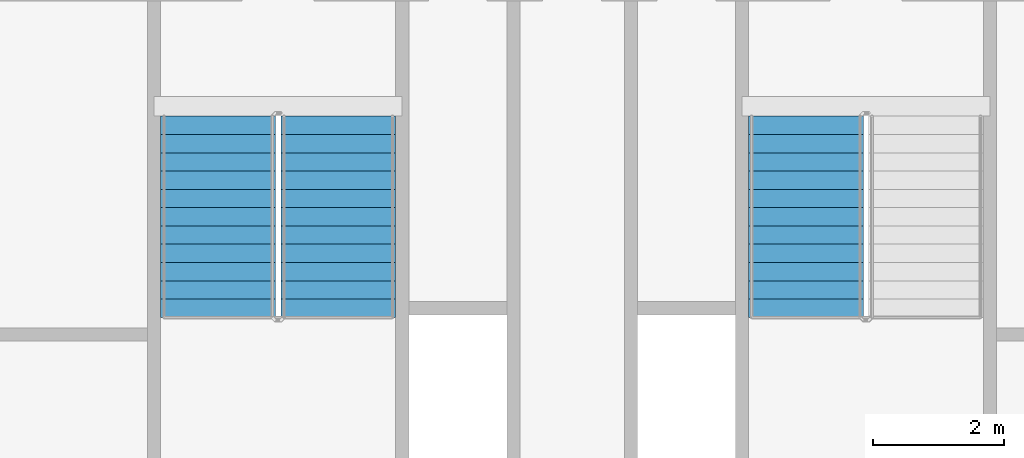
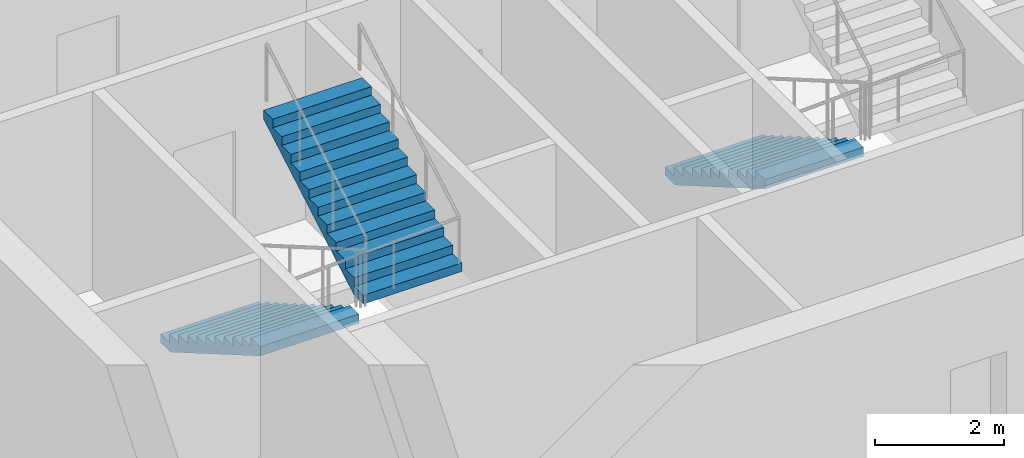
# One storey, part 7 of 14: 3 stair flights, 2 elements without a shape of their own.
"""IFC4 building model written with IfcOpenShell, lengths in metres."""

from ifc_helpers import new_model, si_unit, direction, frame, origin, place, context, subcontext, project, spatial, faceted_brep, material, type_object, element, aggregate, save


model = new_model("IFC4")

# Units and contexts
model_context = context("Model", 3, precision=1e-05, world=origin(), true_north=direction((0.0, 1.0)))
body_context = subcontext(model_context, "Body", "Model", "MODEL_VIEW")
ifc_project = project(units=[si_unit("LENGTHUNIT", "METRE"), si_unit("AREAUNIT", "SQUARE_METRE"), si_unit("VOLUMEUNIT", "CUBIC_METRE"), si_unit("PLANEANGLEUNIT", "RADIAN"), si_unit("MASSUNIT", "GRAM", prefix="KILO")], contexts=[model_context])

# Site, building, storey
site_placement = place(None, origin())
site = spatial("IfcSite", under=ifc_project, at=site_placement, CompositionType="ELEMENT")
building_placement = place(site_placement, origin())
building = spatial("IfcBuilding", under=site, at=building_placement, Name="Tarsis Ring Headquarters", CompositionType="ELEMENT")
storey_placement = place(building_placement, frame((0.0, 0.0, 266.89990234375)))
storey = spatial("IfcBuildingStorey", under=building, at=storey_placement, Name="L62", CompositionType="ELEMENT", Elevation=266.89990234375)

# Stair, stair flights
ifc_material_1 = material(Name="Core stair 1760")
stair_type = type_object("IfcStairType", Name="Core stair 1760", PredefinedType="HALF_TURN_STAIR", material=ifc_material_1)
stair_1_placement = place(storey_placement, origin())
stair_1 = element("IfcStair", 1, at=stair_1_placement, inside=storey, type_object=stair_type, Name="L62 Exit stair C", PredefinedType="HALF_TURN_STAIR")
ifc_material_2 = material(Name="Concrete C40/50", Category="concrete")
stair_flight_type = type_object("IfcStairFlightType", Name="Core stair flight 1760", PredefinedType="STRAIGHT", material=ifc_material_2)
stair_flight_1_placement = place(storey_placement, frame((-5.419921875, -3.659912109375, 0.0), z_axis=(0.0, 0.0, 1.0), x_axis=(0.0, -1.0, 0.0)))
stair_flight_1 = element("IfcStairFlight", 2, at=stair_flight_1_placement, type_object=stair_flight_type, Name="Stair ST3 flight 1", NumberOfRisers=12, NumberOfTreads=11, PredefinedType="STRAIGHT", RiserHeight=0.1625, TreadLength=0.28, context=body_context, shape_type="Brep", body=[
    faceted_brep([(0.0, 0.8798828125, 0.0), (0.0, 0.8798828125, 0.16259765625), (0.280029296875, 0.8798828125, 0.16259765625), (0.280029296875, 0.8798828125, 0.324951171875), (0.56005859375, 0.8798828125, 0.324951171875), (0.56005859375, 0.8798828125, 0.487548828125), (0.840087890625, 0.8798828125, 0.487548828125), (0.840087890625, 0.8798828125, 0.64990234375), (1.1201171875, 0.8798828125, 0.64990234375), (1.1201171875, 0.8798828125, 0.8125), (1.39990234375, 0.8798828125, 0.8125), (1.39990234375, 0.8798828125, 0.97509765625), (1.679931640625, 0.8798828125, 0.97509765625), (1.679931640625, 0.8798828125, 1.137451171875), (1.9599609375, 0.8798828125, 1.137451171875), (1.9599609375, 0.8798828125, 1.300048828125), (2.239990234375, 0.8798828125, 1.300048828125), (2.239990234375, 0.8798828125, 1.46240234375), (2.52001953125, 0.8798828125, 1.46240234375), (2.52001953125, 0.8798828125, 1.625), (2.800048828125, 0.8798828125, 1.625), (2.800048828125, 0.8798828125, 1.78759765625), (3.080078125, 0.8798828125, 1.78759765625), (3.080078125, 0.8798828125, 1.6142578125), (0.298583984375, 0.8798828125, 0.0), (0.298583984375, -0.8798828125, 0.0), (3.080078125, -0.8798828125, 1.6142578125), (3.080078125, -0.8798828125, 1.78759765625), (2.800048828125, -0.8798828125, 1.78759765625), (2.800048828125, -0.8798828125, 1.625), (2.52001953125, -0.8798828125, 1.625), (2.52001953125, -0.8798828125, 1.46240234375), (2.239990234375, -0.8798828125, 1.46240234375), (2.239990234375, -0.8798828125, 1.300048828125), (1.9599609375, -0.8798828125, 1.300048828125), (1.9599609375, -0.8798828125, 1.137451171875), (1.679931640625, -0.8798828125, 1.137451171875), (1.679931640625, -0.8798828125, 0.97509765625), (1.39990234375, -0.8798828125, 0.97509765625), (1.39990234375, -0.8798828125, 0.8125), (1.1201171875, -0.8798828125, 0.8125), (1.1201171875, -0.8798828125, 0.64990234375), (0.840087890625, -0.8798828125, 0.64990234375), (0.840087890625, -0.8798828125, 0.487548828125), (0.56005859375, -0.8798828125, 0.487548828125), (0.56005859375, -0.8798828125, 0.324951171875), (0.280029296875, -0.8798828125, 0.324951171875), (0.280029296875, -0.8798828125, 0.16259765625), (0.0, -0.8798828125, 0.16259765625), (0.0, -0.8798828125, 0.0), (0.0, -0.43994140625, 0.16259765625), (0.0, -0.43994140625, 0.0), (0.0, 0.0, 0.16259765625), (0.0, 0.0, 0.0), (0.0, 0.43994140625, 0.16259765625), (0.0, 0.43994140625, 0.0), (0.280029296875, -0.43994140625, 0.16259765625), (0.280029296875, 0.0, 0.16259765625), (0.280029296875, 0.43994140625, 0.16259765625), (0.280029296875, -0.43994140625, 0.324951171875), (0.280029296875, 0.0, 0.324951171875), (0.280029296875, 0.43994140625, 0.324951171875), (0.56005859375, -0.43994140625, 0.324951171875), (0.56005859375, 0.0, 0.324951171875), (0.56005859375, 0.43994140625, 0.324951171875), (0.56005859375, -0.43994140625, 0.487548828125), (0.56005859375, 0.0, 0.487548828125), (0.56005859375, 0.43994140625, 0.487548828125), (0.840087890625, -0.43994140625, 0.487548828125), (0.840087890625, 0.0, 0.487548828125), (0.840087890625, 0.43994140625, 0.487548828125), (0.840087890625, -0.43994140625, 0.64990234375), (0.840087890625, 0.0, 0.64990234375), (0.840087890625, 0.43994140625, 0.64990234375), (1.1201171875, -0.43994140625, 0.64990234375), (1.1201171875, 0.0, 0.64990234375), (1.1201171875, 0.43994140625, 0.64990234375), (1.1201171875, -0.43994140625, 0.8125), (1.1201171875, 0.0, 0.8125), (1.1201171875, 0.43994140625, 0.8125), (1.39990234375, -0.43994140625, 0.8125), (1.39990234375, 0.0, 0.8125), (1.39990234375, 0.43994140625, 0.8125), (1.39990234375, -0.43994140625, 0.97509765625), (1.39990234375, 0.0, 0.97509765625), (1.39990234375, 0.43994140625, 0.97509765625), (1.679931640625, -0.43994140625, 0.97509765625), (1.679931640625, 0.0, 0.97509765625), (1.679931640625, 0.43994140625, 0.97509765625), (1.679931640625, -0.43994140625, 1.137451171875), (1.679931640625, 0.0, 1.137451171875), (1.679931640625, 0.43994140625, 1.137451171875), (1.9599609375, -0.43994140625, 1.137451171875), (1.9599609375, 0.0, 1.137451171875), (1.9599609375, 0.43994140625, 1.137451171875), (1.9599609375, -0.43994140625, 1.300048828125), (1.9599609375, 0.0, 1.300048828125), (1.9599609375, 0.43994140625, 1.300048828125), (2.239990234375, -0.43994140625, 1.300048828125), (2.239990234375, 0.0, 1.300048828125), (2.239990234375, 0.43994140625, 1.300048828125), (2.239990234375, -0.43994140625, 1.46240234375), (2.239990234375, 0.0, 1.46240234375), (2.239990234375, 0.43994140625, 1.46240234375), (2.52001953125, -0.43994140625, 1.46240234375), (2.52001953125, 0.0, 1.46240234375), (2.52001953125, 0.43994140625, 1.46240234375), (2.52001953125, -0.43994140625, 1.625), (2.52001953125, 0.0, 1.625), (2.52001953125, 0.43994140625, 1.625), (2.800048828125, -0.43994140625, 1.625), (2.800048828125, 0.0, 1.625), (2.800048828125, 0.43994140625, 1.625), (2.800048828125, -0.43994140625, 1.78759765625), (2.800048828125, 0.0, 1.78759765625), (2.800048828125, 0.43994140625, 1.78759765625), (3.080078125, -0.43994140625, 1.78759765625), (3.080078125, 0.0, 1.78759765625), (3.080078125, 0.43994140625, 1.78759765625), (3.080078125, -0.43994140625, 1.6142578125), (3.080078125, 0.0, 1.6142578125), (3.080078125, 0.43994140625, 1.6142578125), (0.298583984375, -0.43994140625, 0.0), (0.298583984375, 0.0, 0.0), (0.298583984375, 0.43994140625, 0.0)], [[[0, 1, 2, 3, 4, 5, 6, 7, 8, 9, 10, 11, 12, 13, 14, 15, 16, 17, 18, 19, 20, 21, 22, 23, 24]], [[25, 26, 27, 28, 29, 30, 31, 32, 33, 34, 35, 36, 37, 38, 39, 40, 41, 42, 43, 44, 45, 46, 47, 48, 49]], [[49, 48, 50, 51]], [[51, 50, 52, 53]], [[53, 52, 54, 55]], [[55, 54, 1, 0]], [[48, 47, 56, 50]], [[50, 56, 57, 52]], [[52, 57, 58, 54]], [[54, 58, 2, 1]], [[47, 46, 59, 56]], [[56, 59, 60, 57]], [[57, 60, 61, 58]], [[58, 61, 3, 2]], [[46, 45, 62, 59]], [[59, 62, 63, 60]], [[60, 63, 64, 61]], [[61, 64, 4, 3]], [[45, 44, 65, 62]], [[62, 65, 66, 63]], [[63, 66, 67, 64]], [[64, 67, 5, 4]], [[44, 43, 68, 65]], [[65, 68, 69, 66]], [[66, 69, 70, 67]], [[67, 70, 6, 5]], [[43, 42, 71, 68]], [[68, 71, 72, 69]], [[69, 72, 73, 70]], [[70, 73, 7, 6]], [[42, 41, 74, 71]], [[71, 74, 75, 72]], [[72, 75, 76, 73]], [[73, 76, 8, 7]], [[41, 40, 77, 74]], [[74, 77, 78, 75]], [[75, 78, 79, 76]], [[76, 79, 9, 8]], [[40, 39, 80, 77]], [[77, 80, 81, 78]], [[78, 81, 82, 79]], [[79, 82, 10, 9]], [[39, 38, 83, 80]], [[80, 83, 84, 81]], [[81, 84, 85, 82]], [[82, 85, 11, 10]], [[38, 37, 86, 83]], [[83, 86, 87, 84]], [[84, 87, 88, 85]], [[85, 88, 12, 11]], [[37, 36, 89, 86]], [[86, 89, 90, 87]], [[87, 90, 91, 88]], [[88, 91, 13, 12]], [[36, 35, 92, 89]], [[89, 92, 93, 90]], [[90, 93, 94, 91]], [[91, 94, 14, 13]], [[35, 34, 95, 92]], [[92, 95, 96, 93]], [[93, 96, 97, 94]], [[94, 97, 15, 14]], [[34, 33, 98, 95]], [[95, 98, 99, 96]], [[96, 99, 100, 97]], [[97, 100, 16, 15]], [[33, 32, 101, 98]], [[98, 101, 102, 99]], [[99, 102, 103, 100]], [[100, 103, 17, 16]], [[32, 31, 104, 101]], [[101, 104, 105, 102]], [[102, 105, 106, 103]], [[103, 106, 18, 17]], [[31, 30, 107, 104]], [[104, 107, 108, 105]], [[105, 108, 109, 106]], [[106, 109, 19, 18]], [[30, 29, 110, 107]], [[107, 110, 111, 108]], [[108, 111, 112, 109]], [[109, 112, 20, 19]], [[29, 28, 113, 110]], [[110, 113, 114, 111]], [[111, 114, 115, 112]], [[112, 115, 21, 20]], [[28, 27, 116, 113]], [[113, 116, 117, 114]], [[114, 117, 118, 115]], [[115, 118, 22, 21]], [[27, 26, 119, 116]], [[116, 119, 120, 117]], [[117, 120, 121, 118]], [[118, 121, 23, 22]], [[26, 25, 122, 119]], [[119, 122, 123, 120]], [[120, 123, 124, 121]], [[121, 124, 24, 23]], [[25, 49, 51, 122]], [[122, 51, 53, 123]], [[123, 53, 55, 124]], [[124, 55, 0, 24]]]),
])
stair_flight_2_placement = place(storey_placement, frame((-3.580078125, -6.739990234375, 1.9501953125), z_axis=(0.0, 0.0, 1.0), x_axis=(0.0, 1.0, 0.0)))
stair_flight_2 = element("IfcStairFlight", 3, at=stair_flight_2_placement, type_object=stair_flight_type, Name="Stair ST3 flight 2", NumberOfRisers=12, NumberOfTreads=11, PredefinedType="STRAIGHT", RiserHeight=0.1625, TreadLength=0.28, context=body_context, shape_type="Brep", body=[
    faceted_brep([(0.0, 0.8798828125, 0.0), (0.0, 0.8798828125, 0.16259765625), (0.280029296875, 0.8798828125, 0.16259765625), (0.280029296875, 0.8798828125, 0.324951171875), (0.56005859375, 0.8798828125, 0.324951171875), (0.56005859375, 0.8798828125, 0.487548828125), (0.840087890625, 0.8798828125, 0.487548828125), (0.840087890625, 0.8798828125, 0.64990234375), (1.1201171875, 0.8798828125, 0.64990234375), (1.1201171875, 0.8798828125, 0.8125), (1.39990234375, 0.8798828125, 0.8125), (1.39990234375, 0.8798828125, 0.97509765625), (1.679931640625, 0.8798828125, 0.97509765625), (1.679931640625, 0.8798828125, 1.137451171875), (1.9599609375, 0.8798828125, 1.137451171875), (1.9599609375, 0.8798828125, 1.300048828125), (2.239990234375, 0.8798828125, 1.300048828125), (2.239990234375, 0.8798828125, 1.46240234375), (2.52001953125, 0.8798828125, 1.46240234375), (2.52001953125, 0.8798828125, 1.625), (2.800048828125, 0.8798828125, 1.625), (2.800048828125, 0.8798828125, 1.78759765625), (3.080078125, 0.8798828125, 1.78759765625), (3.080078125, 0.8798828125, 1.6142578125), (0.298583984375, 0.8798828125, 0.0), (0.298583984375, -0.8798828125, 0.0), (3.080078125, -0.8798828125, 1.6142578125), (3.080078125, -0.8798828125, 1.78759765625), (2.800048828125, -0.8798828125, 1.78759765625), (2.800048828125, -0.8798828125, 1.625), (2.52001953125, -0.8798828125, 1.625), (2.52001953125, -0.8798828125, 1.46240234375), (2.239990234375, -0.8798828125, 1.46240234375), (2.239990234375, -0.8798828125, 1.300048828125), (1.9599609375, -0.8798828125, 1.300048828125), (1.9599609375, -0.8798828125, 1.137451171875), (1.679931640625, -0.8798828125, 1.137451171875), (1.679931640625, -0.8798828125, 0.97509765625), (1.39990234375, -0.8798828125, 0.97509765625), (1.39990234375, -0.8798828125, 0.8125), (1.1201171875, -0.8798828125, 0.8125), (1.1201171875, -0.8798828125, 0.64990234375), (0.840087890625, -0.8798828125, 0.64990234375), (0.840087890625, -0.8798828125, 0.487548828125), (0.56005859375, -0.8798828125, 0.487548828125), (0.56005859375, -0.8798828125, 0.324951171875), (0.280029296875, -0.8798828125, 0.324951171875), (0.280029296875, -0.8798828125, 0.16259765625), (0.0, -0.8798828125, 0.16259765625), (0.0, -0.8798828125, 0.0), (0.0, -0.43994140625, 0.16259765625), (0.0, -0.43994140625, 0.0), (0.0, 0.0, 0.16259765625), (0.0, 0.0, 0.0), (0.0, 0.43994140625, 0.16259765625), (0.0, 0.43994140625, 0.0), (0.280029296875, -0.43994140625, 0.16259765625), (0.280029296875, 0.0, 0.16259765625), (0.280029296875, 0.43994140625, 0.16259765625), (0.280029296875, -0.43994140625, 0.324951171875), (0.280029296875, 0.0, 0.324951171875), (0.280029296875, 0.43994140625, 0.324951171875), (0.56005859375, -0.43994140625, 0.324951171875), (0.56005859375, 0.0, 0.324951171875), (0.56005859375, 0.43994140625, 0.324951171875), (0.56005859375, -0.43994140625, 0.487548828125), (0.56005859375, 0.0, 0.487548828125), (0.56005859375, 0.43994140625, 0.487548828125), (0.840087890625, -0.43994140625, 0.487548828125), (0.840087890625, 0.0, 0.487548828125), (0.840087890625, 0.43994140625, 0.487548828125), (0.840087890625, -0.43994140625, 0.64990234375), (0.840087890625, 0.0, 0.64990234375), (0.840087890625, 0.43994140625, 0.64990234375), (1.1201171875, -0.43994140625, 0.64990234375), (1.1201171875, 0.0, 0.64990234375), (1.1201171875, 0.43994140625, 0.64990234375), (1.1201171875, -0.43994140625, 0.8125), (1.1201171875, 0.0, 0.8125), (1.1201171875, 0.43994140625, 0.8125), (1.39990234375, -0.43994140625, 0.8125), (1.39990234375, 0.0, 0.8125), (1.39990234375, 0.43994140625, 0.8125), (1.39990234375, -0.43994140625, 0.97509765625), (1.39990234375, 0.0, 0.97509765625), (1.39990234375, 0.43994140625, 0.97509765625), (1.679931640625, -0.43994140625, 0.97509765625), (1.679931640625, 0.0, 0.97509765625), (1.679931640625, 0.43994140625, 0.97509765625), (1.679931640625, -0.43994140625, 1.137451171875), (1.679931640625, 0.0, 1.137451171875), (1.679931640625, 0.43994140625, 1.137451171875), (1.9599609375, -0.43994140625, 1.137451171875), (1.9599609375, 0.0, 1.137451171875), (1.9599609375, 0.43994140625, 1.137451171875), (1.9599609375, -0.43994140625, 1.300048828125), (1.9599609375, 0.0, 1.300048828125), (1.9599609375, 0.43994140625, 1.300048828125), (2.239990234375, -0.43994140625, 1.300048828125), (2.239990234375, 0.0, 1.300048828125), (2.239990234375, 0.43994140625, 1.300048828125), (2.239990234375, -0.43994140625, 1.46240234375), (2.239990234375, 0.0, 1.46240234375), (2.239990234375, 0.43994140625, 1.46240234375), (2.52001953125, -0.43994140625, 1.46240234375), (2.52001953125, 0.0, 1.46240234375), (2.52001953125, 0.43994140625, 1.46240234375), (2.52001953125, -0.43994140625, 1.625), (2.52001953125, 0.0, 1.625), (2.52001953125, 0.43994140625, 1.625), (2.800048828125, -0.43994140625, 1.625), (2.800048828125, 0.0, 1.625), (2.800048828125, 0.43994140625, 1.625), (2.800048828125, -0.43994140625, 1.78759765625), (2.800048828125, 0.0, 1.78759765625), (2.800048828125, 0.43994140625, 1.78759765625), (3.080078125, -0.43994140625, 1.78759765625), (3.080078125, 0.0, 1.78759765625), (3.080078125, 0.43994140625, 1.78759765625), (3.080078125, -0.43994140625, 1.6142578125), (3.080078125, 0.0, 1.6142578125), (3.080078125, 0.43994140625, 1.6142578125), (0.298583984375, -0.43994140625, 0.0), (0.298583984375, 0.0, 0.0), (0.298583984375, 0.43994140625, 0.0)], [[[0, 1, 2, 3, 4, 5, 6, 7, 8, 9, 10, 11, 12, 13, 14, 15, 16, 17, 18, 19, 20, 21, 22, 23, 24]], [[25, 26, 27, 28, 29, 30, 31, 32, 33, 34, 35, 36, 37, 38, 39, 40, 41, 42, 43, 44, 45, 46, 47, 48, 49]], [[49, 48, 50, 51]], [[51, 50, 52, 53]], [[53, 52, 54, 55]], [[55, 54, 1, 0]], [[48, 47, 56, 50]], [[50, 56, 57, 52]], [[52, 57, 58, 54]], [[54, 58, 2, 1]], [[47, 46, 59, 56]], [[56, 59, 60, 57]], [[57, 60, 61, 58]], [[58, 61, 3, 2]], [[46, 45, 62, 59]], [[59, 62, 63, 60]], [[60, 63, 64, 61]], [[61, 64, 4, 3]], [[45, 44, 65, 62]], [[62, 65, 66, 63]], [[63, 66, 67, 64]], [[64, 67, 5, 4]], [[44, 43, 68, 65]], [[65, 68, 69, 66]], [[66, 69, 70, 67]], [[67, 70, 6, 5]], [[43, 42, 71, 68]], [[68, 71, 72, 69]], [[69, 72, 73, 70]], [[70, 73, 7, 6]], [[42, 41, 74, 71]], [[71, 74, 75, 72]], [[72, 75, 76, 73]], [[73, 76, 8, 7]], [[41, 40, 77, 74]], [[74, 77, 78, 75]], [[75, 78, 79, 76]], [[76, 79, 9, 8]], [[40, 39, 80, 77]], [[77, 80, 81, 78]], [[78, 81, 82, 79]], [[79, 82, 10, 9]], [[39, 38, 83, 80]], [[80, 83, 84, 81]], [[81, 84, 85, 82]], [[82, 85, 11, 10]], [[38, 37, 86, 83]], [[83, 86, 87, 84]], [[84, 87, 88, 85]], [[85, 88, 12, 11]], [[37, 36, 89, 86]], [[86, 89, 90, 87]], [[87, 90, 91, 88]], [[88, 91, 13, 12]], [[36, 35, 92, 89]], [[89, 92, 93, 90]], [[90, 93, 94, 91]], [[91, 94, 14, 13]], [[35, 34, 95, 92]], [[92, 95, 96, 93]], [[93, 96, 97, 94]], [[94, 97, 15, 14]], [[34, 33, 98, 95]], [[95, 98, 99, 96]], [[96, 99, 100, 97]], [[97, 100, 16, 15]], [[33, 32, 101, 98]], [[98, 101, 102, 99]], [[99, 102, 103, 100]], [[100, 103, 17, 16]], [[32, 31, 104, 101]], [[101, 104, 105, 102]], [[102, 105, 106, 103]], [[103, 106, 18, 17]], [[31, 30, 107, 104]], [[104, 107, 108, 105]], [[105, 108, 109, 106]], [[106, 109, 19, 18]], [[30, 29, 110, 107]], [[107, 110, 111, 108]], [[108, 111, 112, 109]], [[109, 112, 20, 19]], [[29, 28, 113, 110]], [[110, 113, 114, 111]], [[111, 114, 115, 112]], [[112, 115, 21, 20]], [[28, 27, 116, 113]], [[113, 116, 117, 114]], [[114, 117, 118, 115]], [[115, 118, 22, 21]], [[27, 26, 119, 116]], [[116, 119, 120, 117]], [[117, 120, 121, 118]], [[118, 121, 23, 22]], [[26, 25, 122, 119]], [[119, 122, 123, 120]], [[120, 123, 124, 121]], [[121, 124, 24, 23]], [[25, 49, 51, 122]], [[122, 51, 53, 123]], [[123, 53, 55, 124]], [[124, 55, 0, 24]]]),
])
aggregate(stair_1, [stair_flight_1, stair_flight_2])

# Stair, stair flight
stair_2_placement = place(storey_placement, origin())
stair_2 = element("IfcStair", 4, at=stair_2_placement, inside=storey, type_object=stair_type, Name="L62 Exit stair D", PredefinedType="HALF_TURN_STAIR")
stair_flight_3_placement = place(storey_placement, frame((3.580078125, -3.659912109375, 0.0), z_axis=(0.0, 0.0, 1.0), x_axis=(0.0, -1.0, 0.0)))
stair_flight_3 = element("IfcStairFlight", 5, at=stair_flight_3_placement, type_object=stair_flight_type, Name="Stair ST4 flight 1", NumberOfRisers=12, NumberOfTreads=11, PredefinedType="STRAIGHT", RiserHeight=0.1625, TreadLength=0.28, context=body_context, shape_type="Brep", body=[
    faceted_brep([(0.0, 0.8798828125, 0.0), (0.0, 0.8798828125, 0.16259765625), (0.280029296875, 0.8798828125, 0.16259765625), (0.280029296875, 0.8798828125, 0.324951171875), (0.56005859375, 0.8798828125, 0.324951171875), (0.56005859375, 0.8798828125, 0.487548828125), (0.840087890625, 0.8798828125, 0.487548828125), (0.840087890625, 0.8798828125, 0.64990234375), (1.1201171875, 0.8798828125, 0.64990234375), (1.1201171875, 0.8798828125, 0.8125), (1.39990234375, 0.8798828125, 0.8125), (1.39990234375, 0.8798828125, 0.97509765625), (1.679931640625, 0.8798828125, 0.97509765625), (1.679931640625, 0.8798828125, 1.137451171875), (1.9599609375, 0.8798828125, 1.137451171875), (1.9599609375, 0.8798828125, 1.300048828125), (2.239990234375, 0.8798828125, 1.300048828125), (2.239990234375, 0.8798828125, 1.46240234375), (2.52001953125, 0.8798828125, 1.46240234375), (2.52001953125, 0.8798828125, 1.625), (2.800048828125, 0.8798828125, 1.625), (2.800048828125, 0.8798828125, 1.78759765625), (3.080078125, 0.8798828125, 1.78759765625), (3.080078125, 0.8798828125, 1.6142578125), (0.298583984375, 0.8798828125, 0.0), (0.298583984375, -0.8798828125, 0.0), (3.080078125, -0.8798828125, 1.6142578125), (3.080078125, -0.8798828125, 1.78759765625), (2.800048828125, -0.8798828125, 1.78759765625), (2.800048828125, -0.8798828125, 1.625), (2.52001953125, -0.8798828125, 1.625), (2.52001953125, -0.8798828125, 1.46240234375), (2.239990234375, -0.8798828125, 1.46240234375), (2.239990234375, -0.8798828125, 1.300048828125), (1.9599609375, -0.8798828125, 1.300048828125), (1.9599609375, -0.8798828125, 1.137451171875), (1.679931640625, -0.8798828125, 1.137451171875), (1.679931640625, -0.8798828125, 0.97509765625), (1.39990234375, -0.8798828125, 0.97509765625), (1.39990234375, -0.8798828125, 0.8125), (1.1201171875, -0.8798828125, 0.8125), (1.1201171875, -0.8798828125, 0.64990234375), (0.840087890625, -0.8798828125, 0.64990234375), (0.840087890625, -0.8798828125, 0.487548828125), (0.56005859375, -0.8798828125, 0.487548828125), (0.56005859375, -0.8798828125, 0.324951171875), (0.280029296875, -0.8798828125, 0.324951171875), (0.280029296875, -0.8798828125, 0.16259765625), (0.0, -0.8798828125, 0.16259765625), (0.0, -0.8798828125, 0.0), (0.0, -0.43994140625, 0.16259765625), (0.0, -0.43994140625, 0.0), (0.0, 0.0, 0.16259765625), (0.0, 0.0, 0.0), (0.0, 0.43994140625, 0.16259765625), (0.0, 0.43994140625, 0.0), (0.280029296875, -0.43994140625, 0.16259765625), (0.280029296875, 0.0, 0.16259765625), (0.280029296875, 0.43994140625, 0.16259765625), (0.280029296875, -0.43994140625, 0.324951171875), (0.280029296875, 0.0, 0.324951171875), (0.280029296875, 0.43994140625, 0.324951171875), (0.56005859375, -0.43994140625, 0.324951171875), (0.56005859375, 0.0, 0.324951171875), (0.56005859375, 0.43994140625, 0.324951171875), (0.56005859375, -0.43994140625, 0.487548828125), (0.56005859375, 0.0, 0.487548828125), (0.56005859375, 0.43994140625, 0.487548828125), (0.840087890625, -0.43994140625, 0.487548828125), (0.840087890625, 0.0, 0.487548828125), (0.840087890625, 0.43994140625, 0.487548828125), (0.840087890625, -0.43994140625, 0.64990234375), (0.840087890625, 0.0, 0.64990234375), (0.840087890625, 0.43994140625, 0.64990234375), (1.1201171875, -0.43994140625, 0.64990234375), (1.1201171875, 0.0, 0.64990234375), (1.1201171875, 0.43994140625, 0.64990234375), (1.1201171875, -0.43994140625, 0.8125), (1.1201171875, 0.0, 0.8125), (1.1201171875, 0.43994140625, 0.8125), (1.39990234375, -0.43994140625, 0.8125), (1.39990234375, 0.0, 0.8125), (1.39990234375, 0.43994140625, 0.8125), (1.39990234375, -0.43994140625, 0.97509765625), (1.39990234375, 0.0, 0.97509765625), (1.39990234375, 0.43994140625, 0.97509765625), (1.679931640625, -0.43994140625, 0.97509765625), (1.679931640625, 0.0, 0.97509765625), (1.679931640625, 0.43994140625, 0.97509765625), (1.679931640625, -0.43994140625, 1.137451171875), (1.679931640625, 0.0, 1.137451171875), (1.679931640625, 0.43994140625, 1.137451171875), (1.9599609375, -0.43994140625, 1.137451171875), (1.9599609375, 0.0, 1.137451171875), (1.9599609375, 0.43994140625, 1.137451171875), (1.9599609375, -0.43994140625, 1.300048828125), (1.9599609375, 0.0, 1.300048828125), (1.9599609375, 0.43994140625, 1.300048828125), (2.239990234375, -0.43994140625, 1.300048828125), (2.239990234375, 0.0, 1.300048828125), (2.239990234375, 0.43994140625, 1.300048828125), (2.239990234375, -0.43994140625, 1.46240234375), (2.239990234375, 0.0, 1.46240234375), (2.239990234375, 0.43994140625, 1.46240234375), (2.52001953125, -0.43994140625, 1.46240234375), (2.52001953125, 0.0, 1.46240234375), (2.52001953125, 0.43994140625, 1.46240234375), (2.52001953125, -0.43994140625, 1.625), (2.52001953125, 0.0, 1.625), (2.52001953125, 0.43994140625, 1.625), (2.800048828125, -0.43994140625, 1.625), (2.800048828125, 0.0, 1.625), (2.800048828125, 0.43994140625, 1.625), (2.800048828125, -0.43994140625, 1.78759765625), (2.800048828125, 0.0, 1.78759765625), (2.800048828125, 0.43994140625, 1.78759765625), (3.080078125, -0.43994140625, 1.78759765625), (3.080078125, 0.0, 1.78759765625), (3.080078125, 0.43994140625, 1.78759765625), (3.080078125, -0.43994140625, 1.6142578125), (3.080078125, 0.0, 1.6142578125), (3.080078125, 0.43994140625, 1.6142578125), (0.298583984375, -0.43994140625, 0.0), (0.298583984375, 0.0, 0.0), (0.298583984375, 0.43994140625, 0.0)], [[[0, 1, 2, 3, 4, 5, 6, 7, 8, 9, 10, 11, 12, 13, 14, 15, 16, 17, 18, 19, 20, 21, 22, 23, 24]], [[25, 26, 27, 28, 29, 30, 31, 32, 33, 34, 35, 36, 37, 38, 39, 40, 41, 42, 43, 44, 45, 46, 47, 48, 49]], [[49, 48, 50, 51]], [[51, 50, 52, 53]], [[53, 52, 54, 55]], [[55, 54, 1, 0]], [[48, 47, 56, 50]], [[50, 56, 57, 52]], [[52, 57, 58, 54]], [[54, 58, 2, 1]], [[47, 46, 59, 56]], [[56, 59, 60, 57]], [[57, 60, 61, 58]], [[58, 61, 3, 2]], [[46, 45, 62, 59]], [[59, 62, 63, 60]], [[60, 63, 64, 61]], [[61, 64, 4, 3]], [[45, 44, 65, 62]], [[62, 65, 66, 63]], [[63, 66, 67, 64]], [[64, 67, 5, 4]], [[44, 43, 68, 65]], [[65, 68, 69, 66]], [[66, 69, 70, 67]], [[67, 70, 6, 5]], [[43, 42, 71, 68]], [[68, 71, 72, 69]], [[69, 72, 73, 70]], [[70, 73, 7, 6]], [[42, 41, 74, 71]], [[71, 74, 75, 72]], [[72, 75, 76, 73]], [[73, 76, 8, 7]], [[41, 40, 77, 74]], [[74, 77, 78, 75]], [[75, 78, 79, 76]], [[76, 79, 9, 8]], [[40, 39, 80, 77]], [[77, 80, 81, 78]], [[78, 81, 82, 79]], [[79, 82, 10, 9]], [[39, 38, 83, 80]], [[80, 83, 84, 81]], [[81, 84, 85, 82]], [[82, 85, 11, 10]], [[38, 37, 86, 83]], [[83, 86, 87, 84]], [[84, 87, 88, 85]], [[85, 88, 12, 11]], [[37, 36, 89, 86]], [[86, 89, 90, 87]], [[87, 90, 91, 88]], [[88, 91, 13, 12]], [[36, 35, 92, 89]], [[89, 92, 93, 90]], [[90, 93, 94, 91]], [[91, 94, 14, 13]], [[35, 34, 95, 92]], [[92, 95, 96, 93]], [[93, 96, 97, 94]], [[94, 97, 15, 14]], [[34, 33, 98, 95]], [[95, 98, 99, 96]], [[96, 99, 100, 97]], [[97, 100, 16, 15]], [[33, 32, 101, 98]], [[98, 101, 102, 99]], [[99, 102, 103, 100]], [[100, 103, 17, 16]], [[32, 31, 104, 101]], [[101, 104, 105, 102]], [[102, 105, 106, 103]], [[103, 106, 18, 17]], [[31, 30, 107, 104]], [[104, 107, 108, 105]], [[105, 108, 109, 106]], [[106, 109, 19, 18]], [[30, 29, 110, 107]], [[107, 110, 111, 108]], [[108, 111, 112, 109]], [[109, 112, 20, 19]], [[29, 28, 113, 110]], [[110, 113, 114, 111]], [[111, 114, 115, 112]], [[112, 115, 21, 20]], [[28, 27, 116, 113]], [[113, 116, 117, 114]], [[114, 117, 118, 115]], [[115, 118, 22, 21]], [[27, 26, 119, 116]], [[116, 119, 120, 117]], [[117, 120, 121, 118]], [[118, 121, 23, 22]], [[26, 25, 122, 119]], [[119, 122, 123, 120]], [[120, 123, 124, 121]], [[121, 124, 24, 23]], [[25, 49, 51, 122]], [[122, 51, 53, 123]], [[123, 53, 55, 124]], [[124, 55, 0, 24]]]),
])
aggregate(stair_2, [stair_flight_3])

save(model, "model.ifc")
